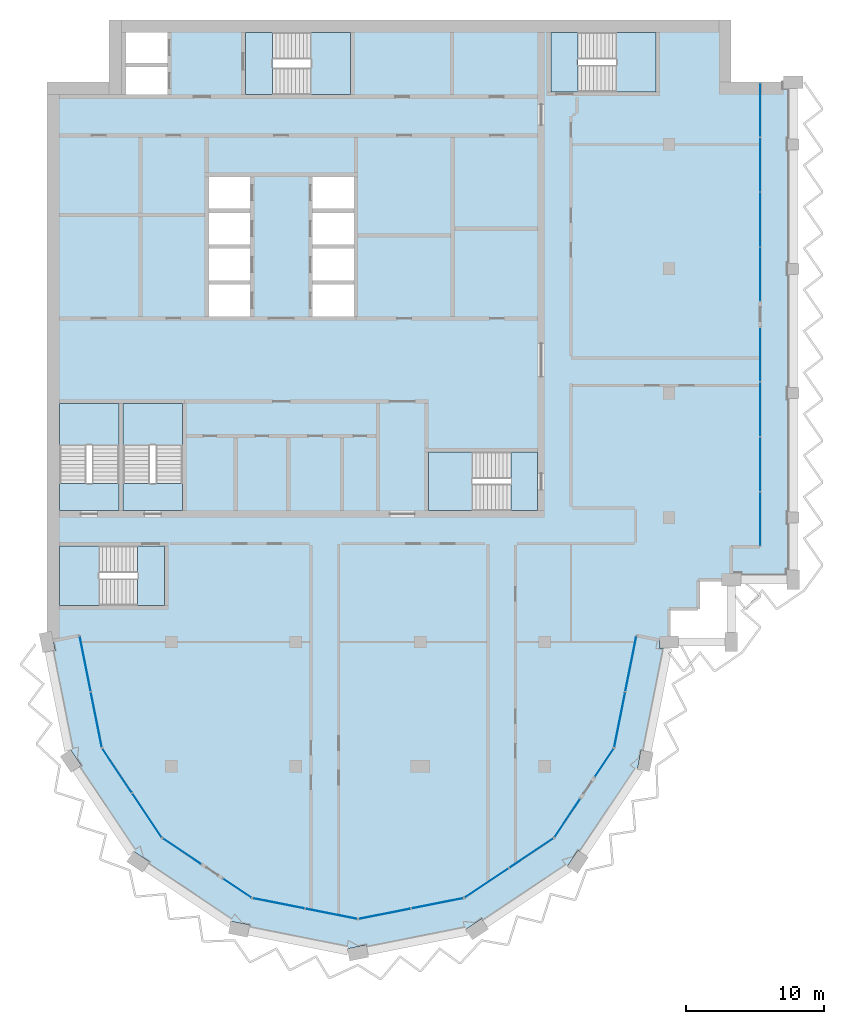
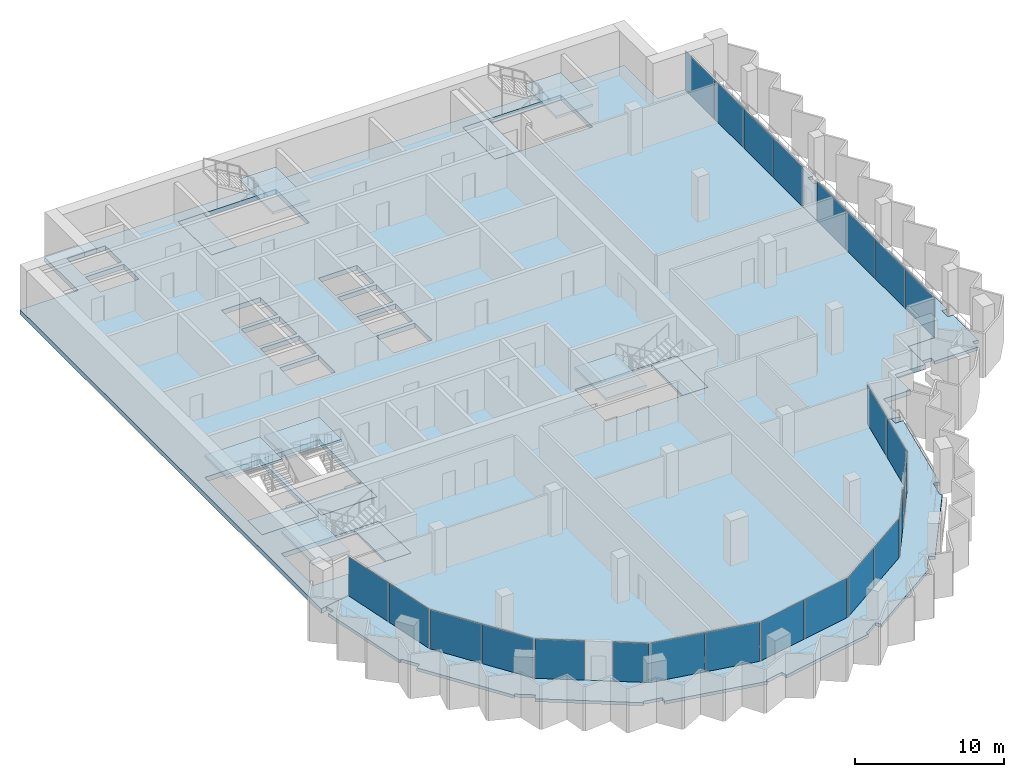
# One storey, part 6 of 14: 24 plates, 15 slabs, 18 elements without a shape of their own.
"""IFC4 building model written with IfcOpenShell, lengths in metres."""

from ifc_helpers import new_model, si_unit, direction, frame, origin, origin_2d, place, context, subcontext, project, spatial, polyline, rectangle, outline, extrude, material, layer, layer_set, type_object, element, aggregate, save


model = new_model("IFC4")

# Units and contexts
model_context = context("Model", 3, precision=1e-05, world=origin(), true_north=direction((0.0, 1.0)))
body_context = subcontext(model_context, "Body", "Model", "MODEL_VIEW")
ifc_project = project(units=[si_unit("LENGTHUNIT", "METRE"), si_unit("AREAUNIT", "SQUARE_METRE"), si_unit("VOLUMEUNIT", "CUBIC_METRE"), si_unit("PLANEANGLEUNIT", "RADIAN"), si_unit("MASSUNIT", "GRAM", prefix="KILO")], contexts=[model_context])

# Site, building, storey
site_placement = place(None, origin())
site = spatial("IfcSite", under=ifc_project, at=site_placement, CompositionType="ELEMENT")
building_placement = place(site_placement, origin())
building = spatial("IfcBuilding", under=site, at=building_placement, Name="Hunhe Ridgeline Campus", CompositionType="ELEMENT")
storey_placement = place(building_placement, frame((0.0, 0.0, 291.89990234375)))
storey = spatial("IfcBuildingStorey", under=building, at=storey_placement, Name="L75", CompositionType="ELEMENT", Elevation=291.89990234375)

# Curtain wall, plates
ifc_material_1 = material(Name="Aluminium 6063", Category="aluminium")
curtain_wall_type_1 = type_object("IfcCurtainWallType", Name="Curtain wall CW-5", PredefinedType="NOTDEFINED", material=ifc_material_1)
curtain_wall_1_placement = place(storey_placement, origin())
curtain_wall_1 = element("IfcCurtainWall", 1, at=curtain_wall_1_placement, inside=storey, type_object=curtain_wall_type_1, Name="Curtain wall 01", PredefinedType="NOTDEFINED")
ifc_material_2 = material(Name="Low-e laminated glass", Category="glass")
ifc_layer_1 = layer(ifc_material_2, 0.028076171875)
ifc_layer_set_1 = layer_set([ifc_layer_1], Name="Curtain wall glass panel 28 low-e laminated")
plate_type = type_object("IfcPlateType", Name="Curtain wall glass panel 28 low-e laminated", PredefinedType="CURTAIN_PANEL", material=ifc_layer_set_1)
plate_1_placement = place(storey_placement, frame((2.76318359375, 52.416015625, 0.0), z_axis=(0.0, 0.0, 1.0), x_axis=(0.195095347137, -0.980784280831, 0.0)))
plate_1 = element("IfcPlate", 2, at=plate_1_placement, type_object=plate_type, Name="CW-5 panel 1", PredefinedType="CURTAIN_PANEL", context=body_context, shape_type="SweptSolid", body=[
    extrude(rectangle(XDim=4.0458984375, YDim=0.028076171875, at=origin_2d()), origin(), (0.0, 0.0, 1.0), 3.22998046875),
])
plate_2_placement = place(storey_placement, frame((3.566162109375, 48.379150390625, 0.0), z_axis=(0.0, 0.0, 1.0), x_axis=(0.195095347137, -0.980784280831, 0.0)))
plate_2 = element("IfcPlate", 3, at=plate_2_placement, type_object=plate_type, Name="CW-5 panel 2", PredefinedType="CURTAIN_PANEL", context=body_context, shape_type="SweptSolid", body=[
    extrude(rectangle(XDim=4.0458984375, YDim=0.028076171875, at=origin_2d()), origin(), (0.0, 0.0, 1.0), 3.22998046875),
])
aggregate(curtain_wall_1, [plate_1, plate_2])

curtain_wall_2_placement = place(storey_placement, origin())
curtain_wall_2 = element("IfcCurtainWall", 4, at=curtain_wall_2_placement, inside=storey, type_object=curtain_wall_type_1, Name="Curtain wall 02", PredefinedType="NOTDEFINED")
plate_3_placement = place(storey_placement, frame((5.07080078125, 44.685546875, 0.0), z_axis=(0.0, 0.0, 1.0), x_axis=(0.555570274596, -0.831469584522, 0.0)))
plate_3 = element("IfcPlate", 5, at=plate_3_placement, type_object=plate_type, Name="CW-5 panel 1", PredefinedType="CURTAIN_PANEL", context=body_context, shape_type="SweptSolid", body=[
    extrude(rectangle(XDim=3.806884765625, YDim=0.028076171875, at=origin_2d()), origin(), (0.0, 0.0, 1.0), 3.22998046875),
])
plate_4_placement = place(storey_placement, frame((7.224609375, 41.4619140625, 0.0), z_axis=(0.0, 0.0, 1.0), x_axis=(0.555570274596, -0.831469584522, 0.0)))
plate_4 = element("IfcPlate", 6, at=plate_4_placement, type_object=plate_type, Name="CW-5 panel 2", PredefinedType="CURTAIN_PANEL", context=body_context, shape_type="SweptSolid", body=[
    extrude(rectangle(XDim=3.806884765625, YDim=0.028076171875, at=origin_2d()), origin(), (0.0, 0.0, 1.0), 3.22998046875),
])
aggregate(curtain_wall_2, [plate_3, plate_4])

# Curtain wall, plate
curtain_wall_3_placement = place(storey_placement, origin())
curtain_wall_3 = element("IfcCurtainWall", 7, at=curtain_wall_3_placement, inside=storey, type_object=curtain_wall_type_1, Name="Curtain wall 03", PredefinedType="NOTDEFINED")
plate_5_placement = place(storey_placement, frame((9.76025390625, 38.859375, 0.0), z_axis=(0.0, 0.0, 1.0), x_axis=(0.831469595944, -0.555570257501, 0.0)))
plate_5 = element("IfcPlate", 8, at=plate_5_placement, type_object=plate_type, Name="CW-5 panel 1", PredefinedType="CURTAIN_PANEL", context=body_context, shape_type="SweptSolid", body=[
    extrude(rectangle(XDim=3.322021484375, YDim=0.028076171875, at=origin_2d()), origin(), (0.0, 0.0, 1.0), 3.22998046875),
])
aggregate(curtain_wall_3, [plate_5])

curtain_wall_4_placement = place(storey_placement, origin())
curtain_wall_4 = element("IfcCurtainWall", 9, at=curtain_wall_4_placement, inside=storey, type_object=curtain_wall_type_1, Name="Curtain wall 04", PredefinedType="NOTDEFINED")
plate_6_placement = place(storey_placement, frame((13.761474609375, 36.18603515625, 0.0), z_axis=(0.0, 0.0, 1.0), x_axis=(0.831469510353, -0.555570385598, 0.0)))
plate_6 = element("IfcPlate", 10, at=plate_6_placement, type_object=plate_type, Name="CW-5 panel 1", PredefinedType="CURTAIN_PANEL", context=body_context, shape_type="SweptSolid", body=[
    extrude(rectangle(XDim=2.421875, YDim=0.028076171875, at=origin_2d()), origin(), (0.0, 0.0, 1.0), 3.22998046875),
])
aggregate(curtain_wall_4, [plate_6])

# Curtain wall, plates
curtain_wall_5_placement = place(storey_placement, origin())
curtain_wall_5 = element("IfcCurtainWall", 11, at=curtain_wall_5_placement, inside=storey, type_object=curtain_wall_type_1, Name="Curtain wall 05", PredefinedType="NOTDEFINED")
plate_7_placement = place(storey_placement, frame((16.761962890625, 35.08935546875, 0.0), z_axis=(0.0, 0.0, 1.0), x_axis=(0.980785275326, -0.195090347539, 0.0)))
plate_7 = element("IfcPlate", 12, at=plate_7_placement, type_object=plate_type, Name="CW-5 panel 1", PredefinedType="CURTAIN_PANEL", context=body_context, shape_type="SweptSolid", body=[
    extrude(rectangle(XDim=3.806884765625, YDim=0.028076171875, at=origin_2d()), origin(), (0.0, 0.0, 1.0), 3.22998046875),
])
plate_8_placement = place(storey_placement, frame((20.564453125, 34.3330078125, 0.0), z_axis=(0.0, 0.0, 1.0), x_axis=(0.980785275326, -0.195090347539, 0.0)))
plate_8 = element("IfcPlate", 13, at=plate_8_placement, type_object=plate_type, Name="CW-5 panel 2", PredefinedType="CURTAIN_PANEL", context=body_context, shape_type="SweptSolid", body=[
    extrude(rectangle(XDim=3.806884765625, YDim=0.028076171875, at=origin_2d()), origin(), (0.0, 0.0, 1.0), 3.22998046875),
])
aggregate(curtain_wall_5, [plate_7, plate_8])

curtain_wall_6_placement = place(storey_placement, origin())
curtain_wall_6 = element("IfcCurtainWall", 14, at=curtain_wall_6_placement, inside=storey, type_object=curtain_wall_type_1, Name="Curtain wall 06", PredefinedType="NOTDEFINED")
plate_9_placement = place(storey_placement, frame((24.435546875, 34.3330078125, 0.0), z_axis=(0.0, 0.0, 1.0), x_axis=(0.980785275326, 0.195090347539, 0.0)))
plate_9 = element("IfcPlate", 15, at=plate_9_placement, type_object=plate_type, Name="CW-5 panel 1", PredefinedType="CURTAIN_PANEL", context=body_context, shape_type="SweptSolid", body=[
    extrude(rectangle(XDim=3.806884765625, YDim=0.028076171875, at=origin_2d()), origin(), (0.0, 0.0, 1.0), 3.22998046875),
])
plate_10_placement = place(storey_placement, frame((28.238037109375, 35.08935546875, 0.0), z_axis=(0.0, 0.0, 1.0), x_axis=(0.980785275326, 0.195090347539, 0.0)))
plate_10 = element("IfcPlate", 16, at=plate_10_placement, type_object=plate_type, Name="CW-5 panel 2", PredefinedType="CURTAIN_PANEL", context=body_context, shape_type="SweptSolid", body=[
    extrude(rectangle(XDim=3.806884765625, YDim=0.028076171875, at=origin_2d()), origin(), (0.0, 0.0, 1.0), 3.22998046875),
])
aggregate(curtain_wall_6, [plate_9, plate_10])

curtain_wall_7_placement = place(storey_placement, origin())
curtain_wall_7 = element("IfcCurtainWall", 17, at=curtain_wall_7_placement, inside=storey, type_object=curtain_wall_type_1, Name="Curtain wall 07", PredefinedType="NOTDEFINED")
plate_11_placement = place(storey_placement, frame((31.814453125, 36.57080078125, 0.0), z_axis=(0.0, 0.0, 1.0), x_axis=(0.831469584522, 0.555570274596, 0.0)))
plate_11 = element("IfcPlate", 18, at=plate_11_placement, type_object=plate_type, Name="CW-5 panel 1", PredefinedType="CURTAIN_PANEL", context=body_context, shape_type="SweptSolid", body=[
    extrude(rectangle(XDim=3.806884765625, YDim=0.028076171875, at=origin_2d()), origin(), (0.0, 0.0, 1.0), 3.22998046875),
])
plate_12_placement = place(storey_placement, frame((35.0380859375, 38.724609375, 0.0), z_axis=(0.0, 0.0, 1.0), x_axis=(0.831469584522, 0.555570274596, 0.0)))
plate_12 = element("IfcPlate", 19, at=plate_12_placement, type_object=plate_type, Name="CW-5 panel 2", PredefinedType="CURTAIN_PANEL", context=body_context, shape_type="SweptSolid", body=[
    extrude(rectangle(XDim=3.806884765625, YDim=0.028076171875, at=origin_2d()), origin(), (0.0, 0.0, 1.0), 3.22998046875),
])
aggregate(curtain_wall_7, [plate_11, plate_12])

# Curtain wall, plate
curtain_wall_8_placement = place(storey_placement, origin())
curtain_wall_8 = element("IfcCurtainWall", 20, at=curtain_wall_8_placement, inside=storey, type_object=curtain_wall_type_1, Name="Curtain wall 08", PredefinedType="NOTDEFINED")
plate_13_placement = place(storey_placement, frame((37.640625, 41.26025390625, 0.0), z_axis=(0.0, 0.0, 1.0), x_axis=(0.555570257501, 0.831469595944, 0.0)))
plate_13 = element("IfcPlate", 21, at=plate_13_placement, type_object=plate_type, Name="CW-5 panel 1", PredefinedType="CURTAIN_PANEL", context=body_context, shape_type="SweptSolid", body=[
    extrude(rectangle(XDim=3.322021484375, YDim=0.028076171875, at=origin_2d()), origin(), (0.0, 0.0, 1.0), 3.22998046875),
])
aggregate(curtain_wall_8, [plate_13])

curtain_wall_9_placement = place(storey_placement, origin())
curtain_wall_9 = element("IfcCurtainWall", 22, at=curtain_wall_9_placement, inside=storey, type_object=curtain_wall_type_1, Name="Curtain wall 09", PredefinedType="NOTDEFINED")
plate_14_placement = place(storey_placement, frame((40.31396484375, 45.261474609375, 0.0), z_axis=(0.0, 0.0, 1.0), x_axis=(0.555570385598, 0.831469510353, 0.0)))
plate_14 = element("IfcPlate", 23, at=plate_14_placement, type_object=plate_type, Name="CW-5 panel 1", PredefinedType="CURTAIN_PANEL", context=body_context, shape_type="SweptSolid", body=[
    extrude(rectangle(XDim=2.421875, YDim=0.028076171875, at=origin_2d()), origin(), (0.0, 0.0, 1.0), 3.22998046875),
])
aggregate(curtain_wall_9, [plate_14])

# Curtain wall, plates
curtain_wall_10_placement = place(storey_placement, origin())
curtain_wall_10 = element("IfcCurtainWall", 24, at=curtain_wall_10_placement, inside=storey, type_object=curtain_wall_type_1, Name="Curtain wall 10", PredefinedType="NOTDEFINED")
plate_15_placement = place(storey_placement, frame((41.433837890625, 48.379150390625, 0.0), z_axis=(0.0, 0.0, 1.0), x_axis=(0.19510421996, 0.980782515828, 0.0)))
plate_15 = element("IfcPlate", 25, at=plate_15_placement, type_object=plate_type, Name="CW-5 panel 1", PredefinedType="CURTAIN_PANEL", context=body_context, shape_type="SweptSolid", body=[
    extrude(rectangle(XDim=4.0458984375, YDim=0.028076171875, at=origin_2d()), origin(), (0.0, 0.0, 1.0), 3.22998046875),
])
plate_16_placement = place(storey_placement, frame((42.237060546875, 52.416015625, 0.0), z_axis=(0.0, 0.0, 1.0), x_axis=(0.19510421996, 0.980782515828, 0.0)))
plate_16 = element("IfcPlate", 26, at=plate_16_placement, type_object=plate_type, Name="CW-5 panel 2", PredefinedType="CURTAIN_PANEL", context=body_context, shape_type="SweptSolid", body=[
    extrude(rectangle(XDim=4.0458984375, YDim=0.028076171875, at=origin_2d()), origin(), (0.0, 0.0, 1.0), 3.22998046875),
])
aggregate(curtain_wall_10, [plate_15, plate_16])

curtain_wall_type_2 = type_object("IfcCurtainWallType", Name="Curtain wall CW-1", PredefinedType="NOTDEFINED", material=ifc_material_1)
curtain_wall_11_placement = place(storey_placement, origin())
curtain_wall_11 = element("IfcCurtainWall", 27, at=curtain_wall_11_placement, inside=storey, type_object=curtain_wall_type_2, Name="Curtain wall 11", PredefinedType="NOTDEFINED")
plate_17_placement = place(storey_placement, frame((51.59912109375, 62.9033203125, 0.0), z_axis=(0.0, 0.0, 1.0), x_axis=(0.0, 1.0, 0.0)))
plate_17 = element("IfcPlate", 28, at=plate_17_placement, type_object=plate_type, Name="CW-1 panel 1", PredefinedType="CURTAIN_PANEL", context=body_context, shape_type="SweptSolid", body=[
    extrude(rectangle(XDim=3.884765625, YDim=0.028076171875, at=origin_2d()), origin(), (0.0, 0.0, 1.0), 3.239990234375),
])
plate_18_placement = place(storey_placement, frame((51.59912109375, 66.86328125, 0.0), z_axis=(0.0, 0.0, 1.0), x_axis=(0.0, 1.0, 0.0)))
plate_18 = element("IfcPlate", 29, at=plate_18_placement, type_object=plate_type, Name="CW-1 panel 2", PredefinedType="CURTAIN_PANEL", context=body_context, shape_type="SweptSolid", body=[
    extrude(rectangle(XDim=3.914794921875, YDim=0.028076171875, at=origin_2d()), origin(), (0.0, 0.0, 1.0), 3.239990234375),
])
plate_19_placement = place(storey_placement, frame((51.59912109375, 70.838134765625, 0.0), z_axis=(0.0, 0.0, 1.0), x_axis=(0.0, 1.0, 0.0)))
plate_19 = element("IfcPlate", 30, at=plate_19_placement, type_object=plate_type, Name="CW-1 panel 3", PredefinedType="CURTAIN_PANEL", context=body_context, shape_type="SweptSolid", body=[
    extrude(rectangle(XDim=3.914794921875, YDim=0.028076171875, at=origin_2d()), origin(), (0.0, 0.0, 1.0), 3.239990234375),
])
plate_20_placement = place(storey_placement, frame((51.59912109375, 74.798095703125, 0.0), z_axis=(0.0, 0.0, 1.0), x_axis=(0.0, 1.0, 0.0)))
plate_20 = element("IfcPlate", 31, at=plate_20_placement, type_object=plate_type, Name="CW-1 panel 4", PredefinedType="CURTAIN_PANEL", context=body_context, shape_type="SweptSolid", body=[
    extrude(rectangle(XDim=3.884765625, YDim=0.028076171875, at=origin_2d()), origin(), (0.0, 0.0, 1.0), 3.239990234375),
])
aggregate(curtain_wall_11, [plate_17, plate_18, plate_19, plate_20])

curtain_wall_12_placement = place(storey_placement, origin())
curtain_wall_12 = element("IfcCurtainWall", 32, at=curtain_wall_12_placement, inside=storey, type_object=curtain_wall_type_2, Name="Curtain wall 12", PredefinedType="NOTDEFINED")
plate_21_placement = place(storey_placement, frame((51.59912109375, 80.60302734375, 0.0), z_axis=(0.0, 0.0, 1.0), x_axis=(0.0, 1.0, 0.0)))
plate_21 = element("IfcPlate", 33, at=plate_21_placement, type_object=plate_type, Name="CW-1 panel 1", PredefinedType="CURTAIN_PANEL", context=body_context, shape_type="SweptSolid", body=[
    extrude(rectangle(XDim=3.884765625, YDim=0.028076171875, at=origin_2d()), origin(), (0.0, 0.0, 1.0), 3.239990234375),
])
plate_22_placement = place(storey_placement, frame((51.59912109375, 84.562744140625, 0.0), z_axis=(0.0, 0.0, 1.0), x_axis=(0.0, 1.0, 0.0)))
plate_22 = element("IfcPlate", 34, at=plate_22_placement, type_object=plate_type, Name="CW-1 panel 2", PredefinedType="CURTAIN_PANEL", context=body_context, shape_type="SweptSolid", body=[
    extrude(rectangle(XDim=3.914794921875, YDim=0.028076171875, at=origin_2d()), origin(), (0.0, 0.0, 1.0), 3.239990234375),
])
plate_23_placement = place(storey_placement, frame((51.59912109375, 88.53759765625, 0.0), z_axis=(0.0, 0.0, 1.0), x_axis=(0.0, 1.0, 0.0)))
plate_23 = element("IfcPlate", 35, at=plate_23_placement, type_object=plate_type, Name="CW-1 panel 3", PredefinedType="CURTAIN_PANEL", context=body_context, shape_type="SweptSolid", body=[
    extrude(rectangle(XDim=3.914794921875, YDim=0.028076171875, at=origin_2d()), origin(), (0.0, 0.0, 1.0), 3.239990234375),
])
plate_24_placement = place(storey_placement, frame((51.59912109375, 92.49755859375, 0.0), z_axis=(0.0, 0.0, 1.0), x_axis=(0.0, 1.0, 0.0)))
plate_24 = element("IfcPlate", 36, at=plate_24_placement, type_object=plate_type, Name="CW-1 panel 4", PredefinedType="CURTAIN_PANEL", context=body_context, shape_type="SweptSolid", body=[
    extrude(rectangle(XDim=3.884765625, YDim=0.028076171875, at=origin_2d()), origin(), (0.0, 0.0, 1.0), 3.239990234375),
])
aggregate(curtain_wall_12, [plate_21, plate_22, plate_23, plate_24])

# Slabs
ifc_material_3 = material(Name="Concrete C40", Category="concrete")
ifc_layer_2 = layer(ifc_material_3, 0.39990234375)
ifc_layer_set_2 = layer_set([ifc_layer_2], Name="Floor slab 400 Concrete C40")
slab_type_1 = type_object("IfcSlabType", Name="Floor slab 400 Concrete C40", PredefinedType="FLOOR", material=ifc_layer_set_2)
slab_1_placement = place(storey_placement, frame((0.0, 0.0, -0.39990234375)))
element("IfcSlab", 37, at=slab_1_placement, inside=storey, type_object=slab_type_1, Name="Floor slab L75 1", PredefinedType="FLOOR", context=body_context, shape_type="SweptSolid", body=[
    extrude(outline(polyline([(36.678955078125, 39.821044921875), (41.025634765625, 46.326416015625), (42.645263671875, 54.46875), (44.9990234375, 54.001220703125), (44.999267578125, 56.400634765625), (47.09912109375, 56.40087890625), (47.099609375, 58.5009765625), (49.4990234375, 58.5009765625), (49.49951171875, 60.90087890625), (51.59912109375, 60.90087890625), (51.59912109375, 94.5), (49.5, 94.5), (49.5, 99.0), (4.5, 99.0), (4.5, 94.5), (0.0, 94.5), (0.0, 54.0009765625), (2.354736328125, 54.46875), (3.974365234375, 46.326416015625), (8.321044921875, 39.821044921875), (14.826416015625, 35.474365234375), (22.5, 33.947998046875), (30.173583984375, 35.474365234375), (36.678955078125, 39.821044921875)]), holes=[polyline([(44.050048828125, 98.10009765625), (36.449951171875, 98.10009765625), (36.449951171875, 93.800048828125), (44.050048828125, 93.800048828125), (44.050048828125, 98.10009765625)]), polyline([(27.60009765625, 67.75), (27.60009765625, 63.5), (35.5, 63.5), (35.5, 67.75), (27.60009765625, 67.75)]), polyline([(22.199951171875, 85.35009765625), (22.199951171875, 87.64990234375), (19.199951171875, 87.64990234375), (19.199951171875, 85.35009765625), (22.199951171875, 85.35009765625)]), polyline([(22.199951171875, 85.050048828125), (19.199951171875, 85.050048828125), (19.199951171875, 82.75), (22.199951171875, 82.75), (22.199951171875, 85.050048828125)]), polyline([(19.199951171875, 82.449951171875), (19.199951171875, 80.14990234375), (22.199951171875, 80.14990234375), (22.199951171875, 82.449951171875), (19.199951171875, 82.449951171875)]), polyline([(19.199951171875, 77.550048828125), (22.199951171875, 77.550048828125), (22.199951171875, 79.85009765625), (19.199951171875, 79.85009765625), (19.199951171875, 77.550048828125)]), polyline([(21.949951171875, 98.10009765625), (14.35009765625, 98.10009765625), (14.35009765625, 93.60009765625), (21.949951171875, 93.60009765625), (21.949951171875, 98.10009765625)]), polyline([(14.699951171875, 85.35009765625), (14.699951171875, 87.64990234375), (11.699951171875, 87.64990234375), (11.699951171875, 85.35009765625), (14.699951171875, 85.35009765625)]), polyline([(14.699951171875, 85.050048828125), (11.699951171875, 85.050048828125), (11.699951171875, 82.75), (14.699951171875, 82.75), (14.699951171875, 85.050048828125)]), polyline([(11.699951171875, 82.449951171875), (11.699951171875, 80.14990234375), (14.699951171875, 80.14990234375), (14.699951171875, 82.449951171875), (11.699951171875, 82.449951171875)]), polyline([(11.699951171875, 77.550048828125), (14.699951171875, 77.550048828125), (14.699951171875, 79.85009765625), (11.699951171875, 79.85009765625), (11.699951171875, 77.550048828125)]), polyline([(5.5, 63.5), (9.800048828125, 63.5), (9.800048828125, 71.25), (5.5, 71.25), (5.5, 63.5)]), polyline([(5.699951171875, 98.10009765625), (5.699951171875, 95.89990234375), (8.699951171875, 95.89990234375), (8.699951171875, 98.10009765625), (5.699951171875, 98.10009765625)]), polyline([(5.699951171875, 93.60009765625), (8.699951171875, 93.60009765625), (8.699951171875, 95.60009765625), (5.699951171875, 95.60009765625), (5.699951171875, 93.60009765625)]), polyline([(0.89990234375, 60.949951171875), (0.89990234375, 56.64990234375), (8.5, 56.64990234375), (8.5, 60.949951171875), (0.89990234375, 60.949951171875)]), polyline([(5.199951171875, 63.5), (5.199951171875, 71.25), (0.89990234375, 71.25), (0.89990234375, 63.5), (5.199951171875, 63.5)])]), origin(), (0.0, 0.0, 1.0), 0.39990234375),
])
ifc_layer_3 = layer(ifc_material_3, 0.25)
ifc_layer_set_3 = layer_set([ifc_layer_3], Name="Loggia slab 250 Concrete C40")
slab_type_2 = type_object("IfcSlabType", Name="Loggia slab 250 Concrete C40", PredefinedType="FLOOR", material=ifc_layer_set_3)
slab_2_placement = place(storey_placement, frame((0.0, 0.0, -0.25)))
element("IfcSlab", 38, at=slab_2_placement, inside=storey, type_object=slab_type_2, Name="Loggia slab 1", PredefinedType="FLOOR", context=body_context, shape_type="SweptSolid", body=[
    extrude(outline(polyline([(30.173828125, 35.473388671875), (22.5, 33.947021484375), (14.826171875, 35.473388671875), (8.3203125, 39.8203125), (3.973388671875, 46.326171875), (2.35400390625, 54.46826171875), (0.44140625, 54.087890625), (0.577880859375, 53.401123046875), (0.136474609375, 53.3134765625), (1.56494140625, 46.1328125), (1.697998046875, 46.2216796875), (2.475830078125, 45.0576171875), (2.1015625, 44.8076171875), (6.169189453125, 38.719970703125), (6.258056640625, 38.853271484375), (7.422119140625, 38.075439453125), (7.172119140625, 37.701171875), (13.259521484375, 33.633544921875), (13.290771484375, 33.79052734375), (14.6640625, 33.517578125), (14.576171875, 33.076171875), (21.7568359375, 31.647705078125), (21.7255859375, 31.8046875), (23.098876953125, 32.077880859375), (23.1865234375, 31.636474609375), (30.3671875, 33.06494140625), (30.2783203125, 33.197998046875), (31.4423828125, 33.975830078125), (31.6923828125, 33.6015625), (37.780029296875, 37.669189453125), (37.646728515625, 37.758056640625), (38.424560546875, 38.922119140625), (38.798828125, 38.672119140625), (42.866455078125, 44.759521484375), (42.70947265625, 44.790771484375), (42.982421875, 46.1640625), (43.423828125, 46.076171875), (44.910400390625, 53.550048828125), (44.300048828125, 53.550048828125), (44.300048828125, 54.13916015625), (42.64599609375, 54.46826171875), (41.026611328125, 46.326171875), (36.6796875, 39.8203125), (30.173828125, 35.473388671875)])), origin(), (0.0, 0.0, 1.0), 0.25),
])
slab_3_placement = place(storey_placement, frame((0.0, 0.0, -0.25)))
element("IfcSlab", 39, at=slab_3_placement, inside=storey, type_object=slab_type_2, Name="Loggia slab 2", PredefinedType="FLOOR", context=body_context, shape_type="SweptSolid", body=[
    extrude(outline(polyline([(49.5, 58.949951171875), (50.199951171875, 58.949951171875), (50.199951171875, 58.5), (53.550048828125, 58.5), (53.550048828125, 59.199951171875), (54.0, 59.199951171875), (54.0, 62.60009765625), (53.60009765625, 62.60009765625), (53.60009765625, 63.39990234375), (54.0, 63.39990234375), (54.0, 71.60009765625), (53.60009765625, 71.60009765625), (53.60009765625, 72.39990234375), (54.0, 72.39990234375), (54.0, 80.60009765625), (53.60009765625, 80.60009765625), (53.60009765625, 81.39990234375), (54.0, 81.39990234375), (54.0, 89.60009765625), (53.60009765625, 89.60009765625), (53.60009765625, 90.39990234375), (54.0, 90.39990234375), (54.0, 94.050048828125), (53.300048828125, 94.050048828125), (53.300048828125, 94.5), (51.60009765625, 94.5), (51.60009765625, 60.89990234375), (49.5, 60.89990234375), (49.5, 58.949951171875)])), origin(), (0.0, 0.0, 1.0), 0.25),
])

# Stair, slab
stair_type = type_object("IfcStairType", Name="Reinforced concrete dog-leg stair 1950 Concrete C40", PredefinedType="HALF_TURN_STAIR", material=ifc_material_3)
stair_1_placement = place(storey_placement, origin())
stair_1 = element("IfcStair", 40, at=stair_1_placement, inside=storey, type_object=stair_type, Name="L75 S1", PredefinedType="HALF_TURN_STAIR")
ifc_layer_4 = layer(ifc_material_3, 0.199951171875)
ifc_layer_set_4 = layer_set([ifc_layer_4], Name="Reinforced concrete stair landing 200 Concrete C40")
slab_type_3 = type_object("IfcSlabType", Name="Reinforced concrete stair landing 200 Concrete C40", PredefinedType="LANDING", material=ifc_layer_set_4)
slab_4_placement = place(storey_placement, frame((0.0, 0.0, 1.650146484375)))
slab_4 = element("IfcSlab", 41, at=slab_4_placement, type_object=slab_type_3, Name="ST1 landing 1", PredefinedType="LANDING", context=body_context, shape_type="SweptSolid", body=[
    extrude(outline(polyline([(19.10009765625, 93.60009765625), (21.949951171875, 93.60009765625), (21.949951171875, 98.10009765625), (19.10009765625, 98.10009765625), (19.10009765625, 93.60009765625)])), origin(), (0.0, 0.0, 1.0), 0.199951171875),
])
aggregate(stair_1, [slab_4])

# Slab
slab_5_placement = place(storey_placement, frame((0.0, 0.0, -0.199951171875)))
element("IfcSlab", 42, at=slab_5_placement, inside=storey, type_object=slab_type_3, Name="L75 stair S1 floor landing", PredefinedType="LANDING", context=body_context, shape_type="SweptSolid", body=[
    extrude(outline(polyline([(14.35009765625, 93.60009765625), (16.300048828125, 93.60009765625), (16.300048828125, 98.10009765625), (14.35009765625, 98.10009765625), (14.35009765625, 93.60009765625)])), origin(), (0.0, 0.0, 1.0), 0.199951171875),
])

# Stair, slab
stair_2_placement = place(storey_placement, origin())
stair_2 = element("IfcStair", 43, at=stair_2_placement, inside=storey, type_object=stair_type, Name="L75 S2", PredefinedType="HALF_TURN_STAIR")
slab_6_placement = place(storey_placement, frame((0.0, 0.0, 1.650146484375)))
slab_6 = element("IfcSlab", 44, at=slab_6_placement, type_object=slab_type_3, Name="ST2 landing 1", PredefinedType="LANDING", context=body_context, shape_type="SweptSolid", body=[
    extrude(outline(polyline([(30.75, 67.75), (27.60009765625, 67.75), (27.60009765625, 63.5), (30.75, 63.5), (30.75, 67.75)])), origin(), (0.0, 0.0, 1.0), 0.199951171875),
])
aggregate(stair_2, [slab_6])

# Slab
slab_7_placement = place(storey_placement, frame((0.0, 0.0, -0.199951171875)))
element("IfcSlab", 45, at=slab_7_placement, inside=storey, type_object=slab_type_3, Name="L75 stair S2 floor landing", PredefinedType="LANDING", context=body_context, shape_type="SweptSolid", body=[
    extrude(outline(polyline([(35.5, 67.75), (33.550048828125, 67.75), (33.550048828125, 63.5), (35.5, 63.5), (35.5, 67.75)])), origin(), (0.0, 0.0, 1.0), 0.199951171875),
])

# Stair, slab
stair_3_placement = place(storey_placement, origin())
stair_3 = element("IfcStair", 46, at=stair_3_placement, inside=storey, type_object=stair_type, Name="L75 S3", PredefinedType="HALF_TURN_STAIR")
slab_8_placement = place(storey_placement, frame((0.0, 0.0, 1.650146484375)))
slab_8 = element("IfcSlab", 47, at=slab_8_placement, type_object=slab_type_3, Name="ST3 landing 1", PredefinedType="LANDING", context=body_context, shape_type="SweptSolid", body=[
    extrude(outline(polyline([(5.199951171875, 68.25), (5.199951171875, 71.25), (0.89990234375, 71.25), (0.89990234375, 68.25), (5.199951171875, 68.25)])), origin(), (0.0, 0.0, 1.0), 0.199951171875),
])
aggregate(stair_3, [slab_8])

# Slab
slab_9_placement = place(storey_placement, frame((0.0, 0.0, -0.199951171875)))
element("IfcSlab", 48, at=slab_9_placement, inside=storey, type_object=slab_type_3, Name="L75 stair S3 floor landing", PredefinedType="LANDING", context=body_context, shape_type="SweptSolid", body=[
    extrude(outline(polyline([(5.199951171875, 63.5), (5.199951171875, 65.449951171875), (0.89990234375, 65.449951171875), (0.89990234375, 63.5), (5.199951171875, 63.5)])), origin(), (0.0, 0.0, 1.0), 0.199951171875),
])

# Stair, slab
stair_4_placement = place(storey_placement, origin())
stair_4 = element("IfcStair", 49, at=stair_4_placement, inside=storey, type_object=stair_type, Name="L75 S4", PredefinedType="HALF_TURN_STAIR")
slab_10_placement = place(storey_placement, frame((0.0, 0.0, 1.650146484375)))
slab_10 = element("IfcSlab", 50, at=slab_10_placement, type_object=slab_type_3, Name="ST4 landing 1", PredefinedType="LANDING", context=body_context, shape_type="SweptSolid", body=[
    extrude(outline(polyline([(9.800048828125, 68.25), (9.800048828125, 71.25), (5.5, 71.25), (5.5, 68.25), (9.800048828125, 68.25)])), origin(), (0.0, 0.0, 1.0), 0.199951171875),
])
aggregate(stair_4, [slab_10])

# Slab
slab_11_placement = place(storey_placement, frame((0.0, 0.0, -0.199951171875)))
element("IfcSlab", 51, at=slab_11_placement, inside=storey, type_object=slab_type_3, Name="L75 stair S4 floor landing", PredefinedType="LANDING", context=body_context, shape_type="SweptSolid", body=[
    extrude(outline(polyline([(9.800048828125, 63.5), (9.800048828125, 65.449951171875), (5.5, 65.449951171875), (5.5, 63.5), (9.800048828125, 63.5)])), origin(), (0.0, 0.0, 1.0), 0.199951171875),
])

# Stair, slab
stair_5_placement = place(storey_placement, origin())
stair_5 = element("IfcStair", 52, at=stair_5_placement, inside=storey, type_object=stair_type, Name="L75 E1", PredefinedType="HALF_TURN_STAIR")
slab_12_placement = place(storey_placement, frame((0.0, 0.0, 1.650146484375)))
slab_12 = element("IfcSlab", 53, at=slab_12_placement, type_object=slab_type_3, Name="ST5 landing 1", PredefinedType="LANDING", context=body_context, shape_type="SweptSolid", body=[
    extrude(outline(polyline([(41.199951171875, 93.800048828125), (44.050048828125, 93.800048828125), (44.050048828125, 98.10009765625), (41.199951171875, 98.10009765625), (41.199951171875, 93.800048828125)])), origin(), (0.0, 0.0, 1.0), 0.199951171875),
])
aggregate(stair_5, [slab_12])

# Slab
slab_13_placement = place(storey_placement, frame((0.0, 0.0, -0.199951171875)))
element("IfcSlab", 54, at=slab_13_placement, inside=storey, type_object=slab_type_3, Name="L75 stair E1 floor landing", PredefinedType="LANDING", context=body_context, shape_type="SweptSolid", body=[
    extrude(outline(polyline([(36.449951171875, 93.800048828125), (38.39990234375, 93.800048828125), (38.39990234375, 98.10009765625), (36.449951171875, 98.10009765625), (36.449951171875, 93.800048828125)])), origin(), (0.0, 0.0, 1.0), 0.199951171875),
])

# Stair, slab
stair_6_placement = place(storey_placement, origin())
stair_6 = element("IfcStair", 55, at=stair_6_placement, inside=storey, type_object=stair_type, Name="L75 W2", PredefinedType="HALF_TURN_STAIR")
slab_14_placement = place(storey_placement, frame((0.0, 0.0, 1.650146484375)))
slab_14 = element("IfcSlab", 56, at=slab_14_placement, type_object=slab_type_3, Name="ST12 landing 1", PredefinedType="LANDING", context=body_context, shape_type="SweptSolid", body=[
    extrude(outline(polyline([(3.75, 60.949951171875), (0.89990234375, 60.949951171875), (0.89990234375, 56.64990234375), (3.75, 56.64990234375), (3.75, 60.949951171875)])), origin(), (0.0, 0.0, 1.0), 0.199951171875),
])
aggregate(stair_6, [slab_14])

# Slab
slab_15_placement = place(storey_placement, frame((0.0, 0.0, -0.199951171875)))
element("IfcSlab", 57, at=slab_15_placement, inside=storey, type_object=slab_type_3, Name="L75 stair W2 floor landing", PredefinedType="LANDING", context=body_context, shape_type="SweptSolid", body=[
    extrude(outline(polyline([(8.5, 60.949951171875), (6.550048828125, 60.949951171875), (6.550048828125, 56.64990234375), (8.5, 56.64990234375), (8.5, 60.949951171875)])), origin(), (0.0, 0.0, 1.0), 0.199951171875),
])

save(model, "model.ifc")
